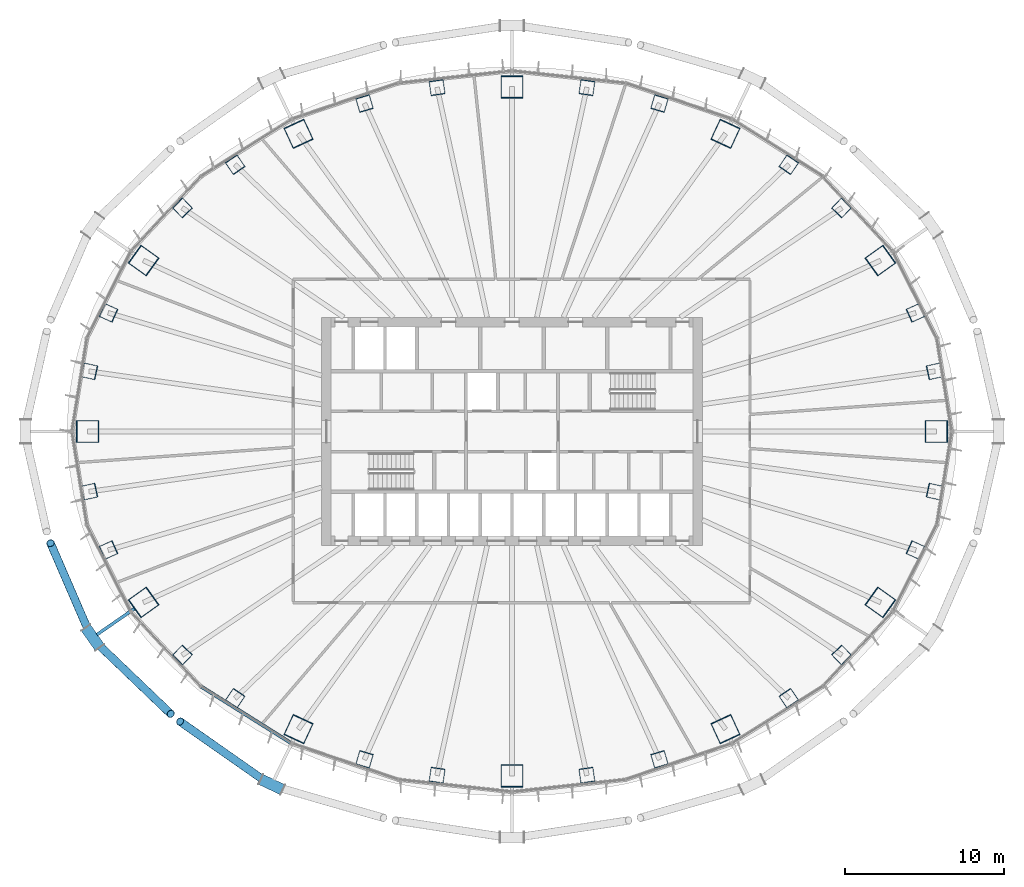
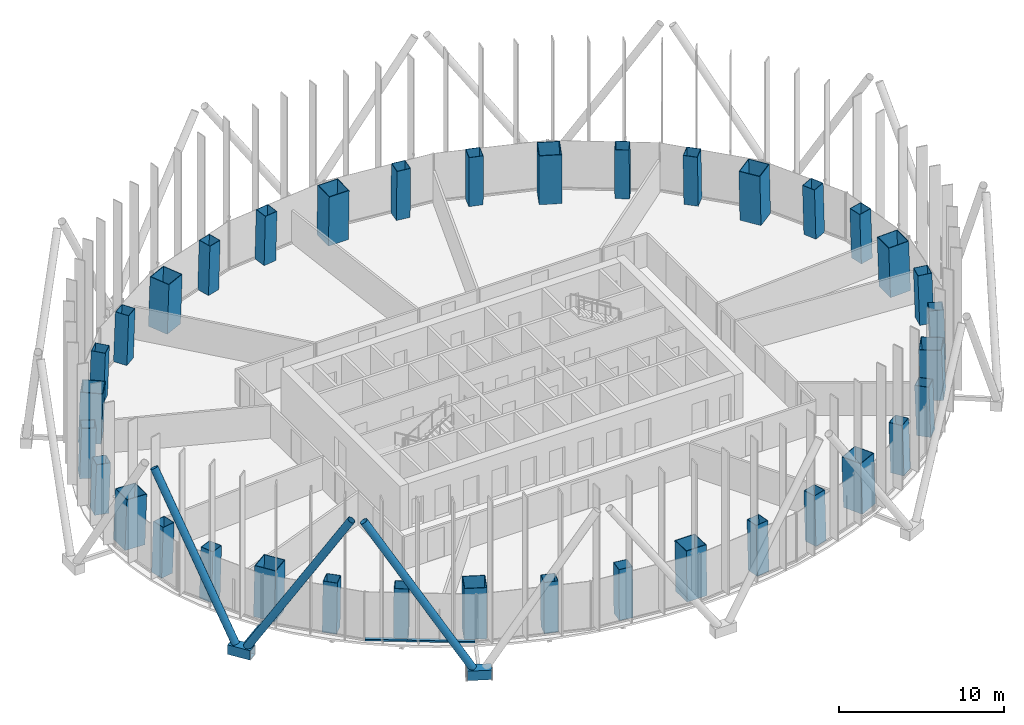
# One storey, part 1 of 22: 36 columns, 7 members, 1 element without a shape of its own.
"""IFC4 building model written with IfcOpenShell, lengths in metres."""

from ifc_helpers import new_model, si_unit, direction, frame, origin, origin_2d, place, context, subcontext, project, spatial, rectangle, hollow_rectangle, hollow_circle, extrude, material, layer, layer_set, material_profile, profile_set, type_object, element, aggregate, save


model = new_model("IFC4")

# Units and contexts
model_context = context("Model", 3, precision=1e-05, world=origin(), true_north=direction((0.0, 1.0)))
body_context = subcontext(model_context, "Body", "Model", "MODEL_VIEW")
ifc_project = project(units=[si_unit("LENGTHUNIT", "METRE"), si_unit("AREAUNIT", "SQUARE_METRE"), si_unit("VOLUMEUNIT", "CUBIC_METRE"), si_unit("PLANEANGLEUNIT", "RADIAN"), si_unit("MASSUNIT", "GRAM", prefix="KILO")], contexts=[model_context])

# Site, building, storey
site_placement = place(None, origin())
site = spatial("IfcSite", under=ifc_project, at=site_placement, CompositionType="ELEMENT")
building_placement = place(site_placement, origin())
building = spatial("IfcBuilding", under=site, at=building_placement, Name="Siaravel Broadcast Tower", CompositionType="ELEMENT")
storey_placement = place(building_placement, frame((0.0, 0.0, 48.199951171875)))
storey = spatial("IfcBuildingStorey", under=building, at=storey_placement, Name="L10", CompositionType="ELEMENT", Elevation=48.199951171875)

# Columns
ifc_material_1 = material(Name="Concrete C70/85", Category="concrete")
ifc_material_profile_1 = material_profile(ifc_material_1, hollow_rectangle(XDim=1.39990234375, YDim=1.39990234375, WallThickness=0.0400390625, at=origin_2d()))
ifc_profile_set_1 = profile_set([ifc_material_profile_1], Name="Concrete C70/85")
column_type_1 = type_object("IfcColumnType", Name="COL-CFT BOX 1400x1400x40", PredefinedType="COLUMN", material=ifc_profile_set_1)
column_1_placement = place(storey_placement, frame((26.77392578125, 0.0, 0.0), z_axis=(-0.034555398, 0.0, 0.999402784), x_axis=(0.0, -1.0, 0.0)))
element("IfcColumn", 1, at=column_1_placement, inside=storey, type_object=column_type_1, Name="Megacolumn MC01", PredefinedType="COLUMN", context=body_context, shape_type="SweptSolid", body=[
    extrude(hollow_rectangle(XDim=1.39990234375, YDim=1.39990234375, WallThickness=0.0400390625, at=origin_2d()), origin(), (0.0, 0.0, 1.0), 3.7021484375),
])
column_2_placement = place(storey_placement, frame((23.240478515625, 10.7822265625, 0.0), z_axis=(-0.029940667, -0.01417895, 0.999451106), x_axis=(0.582456486, -0.812840346, 0.005917161)))
element("IfcColumn", 2, at=column_2_placement, inside=storey, type_object=column_type_1, Name="Megacolumn MC02", PredefinedType="COLUMN", context=body_context, shape_type="SweptSolid", body=[
    extrude(hollow_rectangle(XDim=1.39990234375, YDim=1.39990234375, WallThickness=0.0400390625, at=origin_2d()), origin(), (0.0, 0.0, 1.0), 3.701904296875),
])
column_3_placement = place(storey_placement, frame((13.466796875, 18.77880859375, 0.0), z_axis=(-0.017346145, -0.024601186, 0.999546844), x_axis=(0.907346436, -0.420348999, 0.005400326)))
element("IfcColumn", 3, at=column_3_placement, inside=storey, type_object=column_type_1, Name="Megacolumn MC03", PredefinedType="COLUMN", context=body_context, shape_type="SweptSolid", body=[
    extrude(hollow_rectangle(XDim=1.39990234375, YDim=1.39990234375, WallThickness=0.0400390625, at=origin_2d()), origin(), (0.0, 0.0, 1.0), 3.70166015625),
])
column_4_placement = place(storey_placement, frame((0.0, 21.73193359375, 0.0), z_axis=(0.0, -0.028296154, 0.999599584), x_axis=(1.0, 0.0, 0.0)))
element("IfcColumn", 4, at=column_4_placement, inside=storey, type_object=column_type_1, Name="Megacolumn MC04", PredefinedType="COLUMN", context=body_context, shape_type="SweptSolid", body=[
    extrude(hollow_rectangle(XDim=1.39990234375, YDim=1.39990234375, WallThickness=0.0400390625, at=origin_2d()), origin(), (0.0, 0.0, 1.0), 3.701416015625),
])
column_5_placement = place(storey_placement, frame((-13.466796875, 18.77880859375, 0.0), z_axis=(0.017346145, -0.024601186, 0.999546844), x_axis=(0.907346436, 0.420348999, -0.005400326)))
element("IfcColumn", 5, at=column_5_placement, inside=storey, type_object=column_type_1, Name="Megacolumn MC05", PredefinedType="COLUMN", context=body_context, shape_type="SweptSolid", body=[
    extrude(hollow_rectangle(XDim=1.39990234375, YDim=1.39990234375, WallThickness=0.0400390625, at=origin_2d()), origin(), (0.0, 0.0, 1.0), 3.70166015625),
])
column_6_placement = place(storey_placement, frame((-23.240478515625, 10.7822265625, 0.0), z_axis=(0.029940667, -0.01417895, 0.999451106), x_axis=(0.582456486, 0.812840346, -0.005917161)))
element("IfcColumn", 6, at=column_6_placement, inside=storey, type_object=column_type_1, Name="Megacolumn MC06", PredefinedType="COLUMN", context=body_context, shape_type="SweptSolid", body=[
    extrude(hollow_rectangle(XDim=1.39990234375, YDim=1.39990234375, WallThickness=0.0400390625, at=origin_2d()), origin(), (0.0, 0.0, 1.0), 3.701904296875),
])
column_7_placement = place(storey_placement, frame((-26.77392578125, 0.0, 0.0), z_axis=(0.034555398, 0.0, 0.999402784), x_axis=(0.0, 1.0, 0.0)))
element("IfcColumn", 7, at=column_7_placement, inside=storey, type_object=column_type_1, Name="Megacolumn MC07", PredefinedType="COLUMN", context=body_context, shape_type="SweptSolid", body=[
    extrude(hollow_rectangle(XDim=1.39990234375, YDim=1.39990234375, WallThickness=0.0400390625, at=origin_2d()), origin(), (0.0, 0.0, 1.0), 3.7021484375),
])
column_8_placement = place(storey_placement, frame((-23.240478515625, -10.7822265625, 0.0), z_axis=(0.029940667, 0.01417895, 0.999451106), x_axis=(-0.582456486, 0.812840346, 0.005917161)))
element("IfcColumn", 8, at=column_8_placement, inside=storey, type_object=column_type_1, Name="Megacolumn MC08", PredefinedType="COLUMN", context=body_context, shape_type="SweptSolid", body=[
    extrude(hollow_rectangle(XDim=1.39990234375, YDim=1.39990234375, WallThickness=0.0400390625, at=origin_2d()), origin(), (0.0, 0.0, 1.0), 3.701904296875),
])
column_9_placement = place(storey_placement, frame((-13.466796875, -18.77880859375, 0.0), z_axis=(0.017346145, 0.024601186, 0.999546844), x_axis=(-0.907346436, 0.420348999, 0.005400326)))
element("IfcColumn", 9, at=column_9_placement, inside=storey, type_object=column_type_1, Name="Megacolumn MC09", PredefinedType="COLUMN", context=body_context, shape_type="SweptSolid", body=[
    extrude(hollow_rectangle(XDim=1.39990234375, YDim=1.39990234375, WallThickness=0.0400390625, at=origin_2d()), origin(), (0.0, 0.0, 1.0), 3.70166015625),
])
column_10_placement = place(storey_placement, frame((0.0, -21.73193359375, 0.0), z_axis=(0.0, 0.028296154, 0.999599584), x_axis=(-1.0, 0.0, 0.0)))
element("IfcColumn", 10, at=column_10_placement, inside=storey, type_object=column_type_1, Name="Megacolumn MC10", PredefinedType="COLUMN", context=body_context, shape_type="SweptSolid", body=[
    extrude(hollow_rectangle(XDim=1.39990234375, YDim=1.39990234375, WallThickness=0.0400390625, at=origin_2d()), origin(), (0.0, 0.0, 1.0), 3.701416015625),
])
column_11_placement = place(storey_placement, frame((13.466796875, -18.77880859375, 0.0), z_axis=(-0.017346145, 0.024601186, 0.999546844), x_axis=(-0.907346436, -0.420348999, -0.005400326)))
element("IfcColumn", 11, at=column_11_placement, inside=storey, type_object=column_type_1, Name="Megacolumn MC11", PredefinedType="COLUMN", context=body_context, shape_type="SweptSolid", body=[
    extrude(hollow_rectangle(XDim=1.39990234375, YDim=1.39990234375, WallThickness=0.0400390625, at=origin_2d()), origin(), (0.0, 0.0, 1.0), 3.70166015625),
])
column_12_placement = place(storey_placement, frame((23.240478515625, -10.7822265625, 0.0), z_axis=(-0.029940667, 0.01417895, 0.999451106), x_axis=(-0.582456486, -0.812840346, -0.005917161)))
element("IfcColumn", 12, at=column_12_placement, inside=storey, type_object=column_type_1, Name="Megacolumn MC12", PredefinedType="COLUMN", context=body_context, shape_type="SweptSolid", body=[
    extrude(hollow_rectangle(XDim=1.39990234375, YDim=1.39990234375, WallThickness=0.0400390625, at=origin_2d()), origin(), (0.0, 0.0, 1.0), 3.701904296875),
])
ifc_material_profile_2 = material_profile(ifc_material_1, hollow_rectangle(XDim=0.89990234375, YDim=0.89990234375, WallThickness=0.02490234375, at=origin_2d()))
ifc_profile_set_2 = profile_set([ifc_material_profile_2], Name="Concrete C70/85")
column_type_2 = type_object("IfcColumnType", Name="COL-CFT BOX 900x900x25", PredefinedType="COLUMN", material=ifc_profile_set_2)
for number, where, z_axis, x_axis, name in (
    (13, (26.66845703125, 3.79638671875, 0.0), (-0.034028045, -0.004879991, 0.999408964), (0.21142323, -0.977391596, 0.002426091), "Perimeter column C01"),
    (14, (25.4619140625, 7.484130859375, 0.0), (-0.032511791, -0.009694185, 0.999424337), (0.409551544, -0.912276009, 0.004474057), "Perimeter column C02"),
):
    element("IfcColumn", number, at=place(storey_placement, frame(where, z_axis=z_axis, x_axis=x_axis)), inside=storey, type_object=column_type_2, Name=name, PredefinedType="COLUMN", context=body_context, shape_type="SweptSolid", body=[
        extrude(hollow_rectangle(XDim=0.89990234375, YDim=0.89990234375, WallThickness=0.02490234375, at=origin_2d()), origin(), (0.0, 0.0, 1.0), 3.7021484375),
    ])
column_13_placement = place(storey_placement, frame((20.7939453125, 14.103515625, 0.0), z_axis=(-0.026512179, -0.018202391, 0.999482755), x_axis=(0.719438902, -0.694525921, 0.006435189)))
element("IfcColumn", 15, at=column_13_placement, inside=storey, type_object=column_type_2, Name="Perimeter column C03", PredefinedType="COLUMN", context=body_context, shape_type="SweptSolid", body=[
    extrude(hollow_rectangle(XDim=0.89990234375, YDim=0.89990234375, WallThickness=0.02490234375, at=origin_2d()), origin(), (0.0, 0.0, 1.0), 3.701904296875),
])
column_14_placement = place(storey_placement, frame((17.4638671875, 16.8310546875, 0.0), z_axis=(-0.022226156, -0.021698532, 0.999517469), x_axis=(0.827675916, -0.561171863, 0.006222451)))
element("IfcColumn", 16, at=column_14_placement, inside=storey, type_object=column_type_2, Name="Perimeter column C04", PredefinedType="COLUMN", context=body_context, shape_type="SweptSolid", body=[
    extrude(hollow_rectangle(XDim=0.89990234375, YDim=0.89990234375, WallThickness=0.02490234375, at=origin_2d()), origin(), (0.0, 0.0, 1.0), 3.70166015625),
])
for number, where, z_axis, x_axis, name in (
    (17, (9.304931640625, 20.6884765625, 0.0), (-0.011872213, -0.026646524, 0.999574416), (0.959290519, -0.282394682, 0.00386571), "Perimeter column C05"),
    (18, (4.725830078125, 21.693359375, 0.0), (-0.006002173, -0.027900212, 0.999592693), (0.990091215, -0.140411117, 0.002026024), "Perimeter column C06"),
    (19, (-4.725830078125, 21.693359375, 0.0), (0.006002173, -0.027900212, 0.999592693), (0.990091215, 0.140411117, -0.002026024), "Perimeter column C07"),
    (20, (-9.304931640625, 20.6884765625, 0.0), (0.011872213, -0.026646524, 0.999574416), (0.959290519, 0.282394682, -0.00386571), "Perimeter column C08"),
):
    element("IfcColumn", number, at=place(storey_placement, frame(where, z_axis=z_axis, x_axis=x_axis)), inside=storey, type_object=column_type_2, Name=name, PredefinedType="COLUMN", context=body_context, shape_type="SweptSolid", body=[
        extrude(hollow_rectangle(XDim=0.89990234375, YDim=0.89990234375, WallThickness=0.02490234375, at=origin_2d()), origin(), (0.0, 0.0, 1.0), 3.701416015625),
    ])
column_15_placement = place(storey_placement, frame((-17.4638671875, 16.8310546875, 0.0), z_axis=(0.022226156, -0.021698532, 0.999517469), x_axis=(0.827675916, 0.561171863, -0.006222451)))
element("IfcColumn", 21, at=column_15_placement, inside=storey, type_object=column_type_2, Name="Perimeter column C09", PredefinedType="COLUMN", context=body_context, shape_type="SweptSolid", body=[
    extrude(hollow_rectangle(XDim=0.89990234375, YDim=0.89990234375, WallThickness=0.02490234375, at=origin_2d()), origin(), (0.0, 0.0, 1.0), 3.70166015625),
])
column_16_placement = place(storey_placement, frame((-20.7939453125, 14.103515625, 0.0), z_axis=(0.026512179, -0.018202391, 0.999482755), x_axis=(0.719438902, 0.694525921, -0.006435189)))
element("IfcColumn", 22, at=column_16_placement, inside=storey, type_object=column_type_2, Name="Perimeter column C10", PredefinedType="COLUMN", context=body_context, shape_type="SweptSolid", body=[
    extrude(hollow_rectangle(XDim=0.89990234375, YDim=0.89990234375, WallThickness=0.02490234375, at=origin_2d()), origin(), (0.0, 0.0, 1.0), 3.701904296875),
])
for number, where, z_axis, x_axis, name in (
    (23, (-25.4619140625, 7.484130859375, 0.0), (0.032511791, -0.009694185, 0.999424337), (0.409551544, 0.912276009, -0.004474057), "Perimeter column C11"),
    (24, (-26.66845703125, 3.79638671875, 0.0), (0.034028045, -0.004879991, 0.999408964), (0.21142323, 0.977391596, -0.002426091), "Perimeter column C12"),
    (25, (-26.66845703125, -3.79638671875, 0.0), (0.034028045, 0.004879991, 0.999408964), (-0.21142323, 0.977391596, 0.002426091), "Perimeter column C13"),
    (26, (-25.4619140625, -7.484130859375, 0.0), (0.032511791, 0.009694185, 0.999424337), (-0.409551544, 0.912276009, 0.004474057), "Perimeter column C14"),
):
    element("IfcColumn", number, at=place(storey_placement, frame(where, z_axis=z_axis, x_axis=x_axis)), inside=storey, type_object=column_type_2, Name=name, PredefinedType="COLUMN", context=body_context, shape_type="SweptSolid", body=[
        extrude(hollow_rectangle(XDim=0.89990234375, YDim=0.89990234375, WallThickness=0.02490234375, at=origin_2d()), origin(), (0.0, 0.0, 1.0), 3.7021484375),
    ])
column_17_placement = place(storey_placement, frame((-20.7939453125, -14.103515625, 0.0), z_axis=(0.026512179, 0.018202391, 0.999482755), x_axis=(-0.719438902, 0.694525921, 0.006435189)))
element("IfcColumn", 27, at=column_17_placement, inside=storey, type_object=column_type_2, Name="Perimeter column C15", PredefinedType="COLUMN", context=body_context, shape_type="SweptSolid", body=[
    extrude(hollow_rectangle(XDim=0.89990234375, YDim=0.89990234375, WallThickness=0.02490234375, at=origin_2d()), origin(), (0.0, 0.0, 1.0), 3.701904296875),
])
column_18_placement = place(storey_placement, frame((-17.4638671875, -16.8310546875, 0.0), z_axis=(0.022226156, 0.021698532, 0.999517469), x_axis=(-0.827675916, 0.561171863, 0.006222451)))
element("IfcColumn", 28, at=column_18_placement, inside=storey, type_object=column_type_2, Name="Perimeter column C16", PredefinedType="COLUMN", context=body_context, shape_type="SweptSolid", body=[
    extrude(hollow_rectangle(XDim=0.89990234375, YDim=0.89990234375, WallThickness=0.02490234375, at=origin_2d()), origin(), (0.0, 0.0, 1.0), 3.70166015625),
])
for number, where, z_axis, x_axis, name in (
    (29, (-9.304931640625, -20.6884765625, 0.0), (0.011872213, 0.026646524, 0.999574416), (-0.959290519, 0.282394682, 0.00386571), "Perimeter column C17"),
    (30, (-4.725830078125, -21.693359375, 0.0), (0.006002173, 0.027900212, 0.999592693), (-0.990091215, 0.140411117, 0.002026024), "Perimeter column C18"),
    (31, (4.725830078125, -21.693359375, 0.0), (-0.006002173, 0.027900212, 0.999592693), (-0.990091215, -0.140411117, -0.002026024), "Perimeter column C19"),
    (32, (9.304931640625, -20.6884765625, 0.0), (-0.011872213, 0.026646524, 0.999574416), (-0.959290519, -0.282394682, -0.00386571), "Perimeter column C20"),
):
    element("IfcColumn", number, at=place(storey_placement, frame(where, z_axis=z_axis, x_axis=x_axis)), inside=storey, type_object=column_type_2, Name=name, PredefinedType="COLUMN", context=body_context, shape_type="SweptSolid", body=[
        extrude(hollow_rectangle(XDim=0.89990234375, YDim=0.89990234375, WallThickness=0.02490234375, at=origin_2d()), origin(), (0.0, 0.0, 1.0), 3.701416015625),
    ])
column_19_placement = place(storey_placement, frame((17.4638671875, -16.8310546875, 0.0), z_axis=(-0.022226156, 0.021698532, 0.999517469), x_axis=(-0.827675916, -0.561171863, -0.006222451)))
element("IfcColumn", 33, at=column_19_placement, inside=storey, type_object=column_type_2, Name="Perimeter column C21", PredefinedType="COLUMN", context=body_context, shape_type="SweptSolid", body=[
    extrude(hollow_rectangle(XDim=0.89990234375, YDim=0.89990234375, WallThickness=0.02490234375, at=origin_2d()), origin(), (0.0, 0.0, 1.0), 3.70166015625),
])
column_20_placement = place(storey_placement, frame((20.7939453125, -14.103515625, 0.0), z_axis=(-0.026512179, 0.018202391, 0.999482755), x_axis=(-0.719438902, -0.694525921, -0.006435189)))
element("IfcColumn", 34, at=column_20_placement, inside=storey, type_object=column_type_2, Name="Perimeter column C22", PredefinedType="COLUMN", context=body_context, shape_type="SweptSolid", body=[
    extrude(hollow_rectangle(XDim=0.89990234375, YDim=0.89990234375, WallThickness=0.02490234375, at=origin_2d()), origin(), (0.0, 0.0, 1.0), 3.701904296875),
])
for number, where, z_axis, x_axis, name in (
    (35, (25.4619140625, -7.484130859375, 0.0), (-0.032511791, 0.009694185, 0.999424337), (-0.409551544, -0.912276009, -0.004474057), "Perimeter column C23"),
    (36, (26.66845703125, -3.79638671875, 0.0), (-0.034028045, 0.004879991, 0.999408964), (-0.21142323, -0.977391596, -0.002426091), "Perimeter column C24"),
):
    element("IfcColumn", number, at=place(storey_placement, frame(where, z_axis=z_axis, x_axis=x_axis)), inside=storey, type_object=column_type_2, Name=name, PredefinedType="COLUMN", context=body_context, shape_type="SweptSolid", body=[
        extrude(hollow_rectangle(XDim=0.89990234375, YDim=0.89990234375, WallThickness=0.02490234375, at=origin_2d()), origin(), (0.0, 0.0, 1.0), 3.7021484375),
    ])

# Curtain wall, member
ifc_material_2 = material(Name="Aluminium 6063-T6", Category="aluminium")
ifc_layer = layer(ifc_material_2, 0.219970703125)
ifc_layer_set = layer_set([ifc_layer], Name="Aluminium 6063-T6")
curtain_wall_type = type_object("IfcCurtainWallType", Name="Unitised curtain wall, zone 1", PredefinedType="NOTDEFINED", material=ifc_layer_set)
curtain_wall_placement = place(storey_placement, origin())
curtain_wall = element("IfcCurtainWall", 37, at=curtain_wall_placement, inside=storey, type_object=curtain_wall_type, Name="L10 Unitised curtain wall, zone 1 08", PredefinedType="NOTDEFINED")
ifc_material_profile_3 = material_profile(ifc_material_2, rectangle(XDim=0.219970703125, YDim=0.1201171875, at=origin_2d()))
ifc_profile_set_3 = profile_set([ifc_material_profile_3], Name="Aluminium 6063-T6")
member_type_1 = type_object("IfcMemberType", Name="CW-Z1 transom", PredefinedType="USERDEFINED", material=ifc_profile_set_3)
member_1_placement = place(storey_placement, frame((-19.576171875, -16.0908203125, 0.06005859375), z_axis=(0.846658666, -0.532136358, 0.0), x_axis=(0.532136358, 0.846658666, 0.0)))
member_1 = element("IfcMember", 38, at=member_1_placement, type_object=member_type_1, Name="CW-Z1 transom 2", ObjectType="TRANSOM", PredefinedType="USERDEFINED", context=body_context, shape_type="SweptSolid", body=[
    extrude(rectangle(XDim=0.219970703125, YDim=0.1201171875, at=origin_2d()), origin(), (0.0, 0.0, 1.0), 6.6787109375),
])
aggregate(curtain_wall, [member_1])

# Members
ifc_material_3 = material(Name="Steel S460", Category="steel")
ifc_material_profile_4 = material_profile(ifc_material_3, hollow_circle(Radius=0.25390625, WallThickness=0.02001953125, at=origin_2d()))
ifc_profile_set_4 = profile_set([ifc_material_profile_4], Name="Steel S460")
member_type_2 = type_object("IfcMemberType", Name="Diagrid diagonal CHS 508x20", PredefinedType="BRACE", material=ifc_profile_set_4)
member_2_placement = place(storey_placement, frame((-26.649658203125, -12.6826171875, 0.1201171875), z_axis=(-0.201259245, 0.465212063, 0.862016504), x_axis=(-0.917794883, -0.397054849, 0.0)))
element("IfcMember", 39, at=member_2_placement, inside=storey, type_object=member_type_2, Name="Diagrid diagonal R05 station 42C", PredefinedType="BRACE", context=body_context, shape_type="SweptSolid", body=[
    extrude(hollow_circle(Radius=0.25390625, WallThickness=0.02001953125, at=origin_2d()), origin(), (0.0, 0.0, 1.0), 12.13427734375),
])
member_3_placement = place(storey_placement, frame((-26.21240234375, -13.302734375, 0.1201171875), z_axis=(0.381326995, -0.365431764, 0.849146247), x_axis=(0.691898843, 0.721994454, 0.0)))
element("IfcMember", 40, at=member_3_placement, inside=storey, type_object=member_type_2, Name="Diagrid diagonal R05 station 42A", PredefinedType="BRACE", context=body_context, shape_type="SweptSolid", body=[
    extrude(hollow_circle(Radius=0.25390625, WallThickness=0.02001953125, at=origin_2d()), origin(), (0.0, 0.0, 1.0), 12.318115234375),
])
member_4_placement = place(storey_placement, frame((-15.487548828125, -22.097412109375, 0.1201171875), z_axis=(-0.439055181, 0.307657811, 0.844142891), x_axis=(-0.573861847, -0.818952123, 0.0)))
element("IfcMember", 41, at=member_4_placement, inside=storey, type_object=member_type_2, Name="Diagrid diagonal R05 station 48C", PredefinedType="BRACE", context=body_context, shape_type="SweptSolid", body=[
    extrude(hollow_circle(Radius=0.25390625, WallThickness=0.02001953125, at=origin_2d()), origin(), (0.0, 0.0, 1.0), 12.39111328125),
])
ifc_material_profile_5 = material_profile(ifc_material_3, hollow_rectangle(XDim=0.699951171875, YDim=0.699951171875, WallThickness=0.0400390625, at=origin_2d()))
ifc_profile_set_5 = profile_set([ifc_material_profile_5], Name="Steel S460")
member_type_3 = type_object("IfcMemberType", Name="Diagrid node BOX 700x700x40", PredefinedType="USERDEFINED", material=ifc_profile_set_5)
member_5_placement = place(storey_placement, frame((-26.864990234375, -12.376708984375, -0.199951171875), z_axis=(0.576015054, -0.817439085, 0.0), x_axis=(0.817439085, 0.576015054, 0.0)))
element("IfcMember", 42, at=member_5_placement, inside=storey, type_object=member_type_3, Name="Diagrid node R05 station 42", ObjectType="DIAGRID NODE", PredefinedType="USERDEFINED", context=body_context, shape_type="SweptSolid", body=[
    extrude(hollow_rectangle(XDim=0.699951171875, YDim=0.699951171875, WallThickness=0.0400390625, at=origin_2d()), origin(), (0.0, 0.0, 1.0), 1.5068359375),
])
member_6_placement = place(storey_placement, frame((-15.82568359375, -21.9375, -0.199951171875), z_axis=(0.903998275, -0.427536102, 0.0), x_axis=(0.427536102, 0.903998275, 0.0)))
element("IfcMember", 43, at=member_6_placement, inside=storey, type_object=member_type_3, Name="Diagrid node R05 station 48", ObjectType="DIAGRID NODE", PredefinedType="USERDEFINED", context=body_context, shape_type="SweptSolid", body=[
    extrude(hollow_rectangle(XDim=0.699951171875, YDim=0.699951171875, WallThickness=0.0400390625, at=origin_2d()), origin(), (0.0, 0.0, 1.0), 1.507080078125),
])
ifc_material_profile_6 = material_profile(ifc_material_3, hollow_rectangle(XDim=0.199951171875, YDim=0.300048828125, WallThickness=0.012451171875, at=origin_2d()))
ifc_profile_set_6 = profile_set([ifc_material_profile_6], Name="Steel S460")
member_type_4 = type_object("IfcMemberType", Name="Diagrid node arm RHS 300x200x12.5", PredefinedType="STRUT", material=ifc_profile_set_6)
member_7_placement = place(storey_placement, frame((-23.791259765625, -11.163818359375, -0.199951171875), z_axis=(-0.822046263, -0.569420707, 0.0), x_axis=(0.569420707, -0.822046263, 0.0)))
element("IfcMember", 44, at=member_7_placement, inside=storey, type_object=member_type_4, Name="Node arm R05 station 42", PredefinedType="STRUT", context=body_context, shape_type="SweptSolid", body=[
    extrude(hollow_rectangle(XDim=0.199951171875, YDim=0.300048828125, WallThickness=0.012451171875, at=origin_2d()), origin(), (0.0, 0.0, 1.0), 2.8916015625),
])

save(model, "model.ifc")
